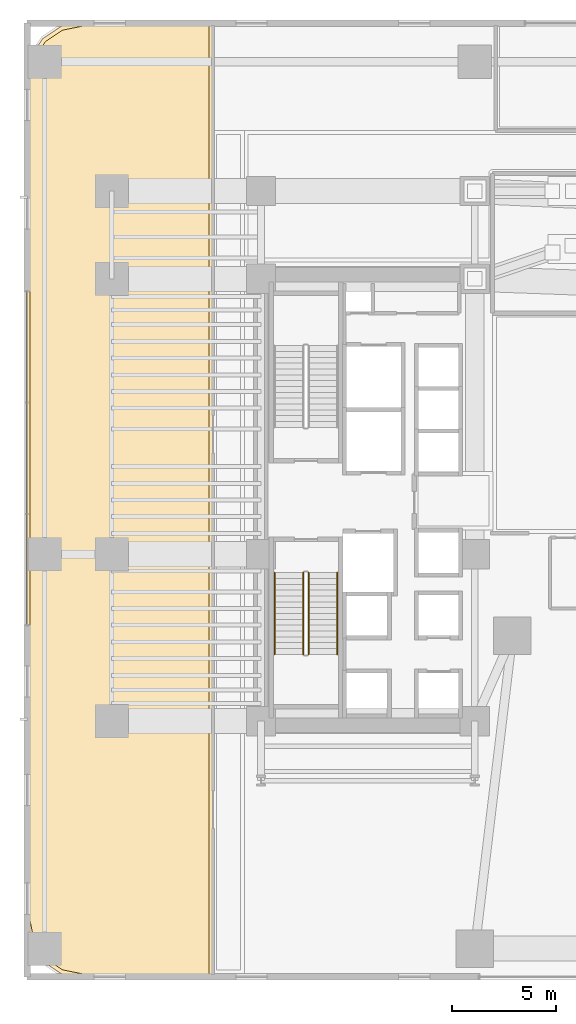
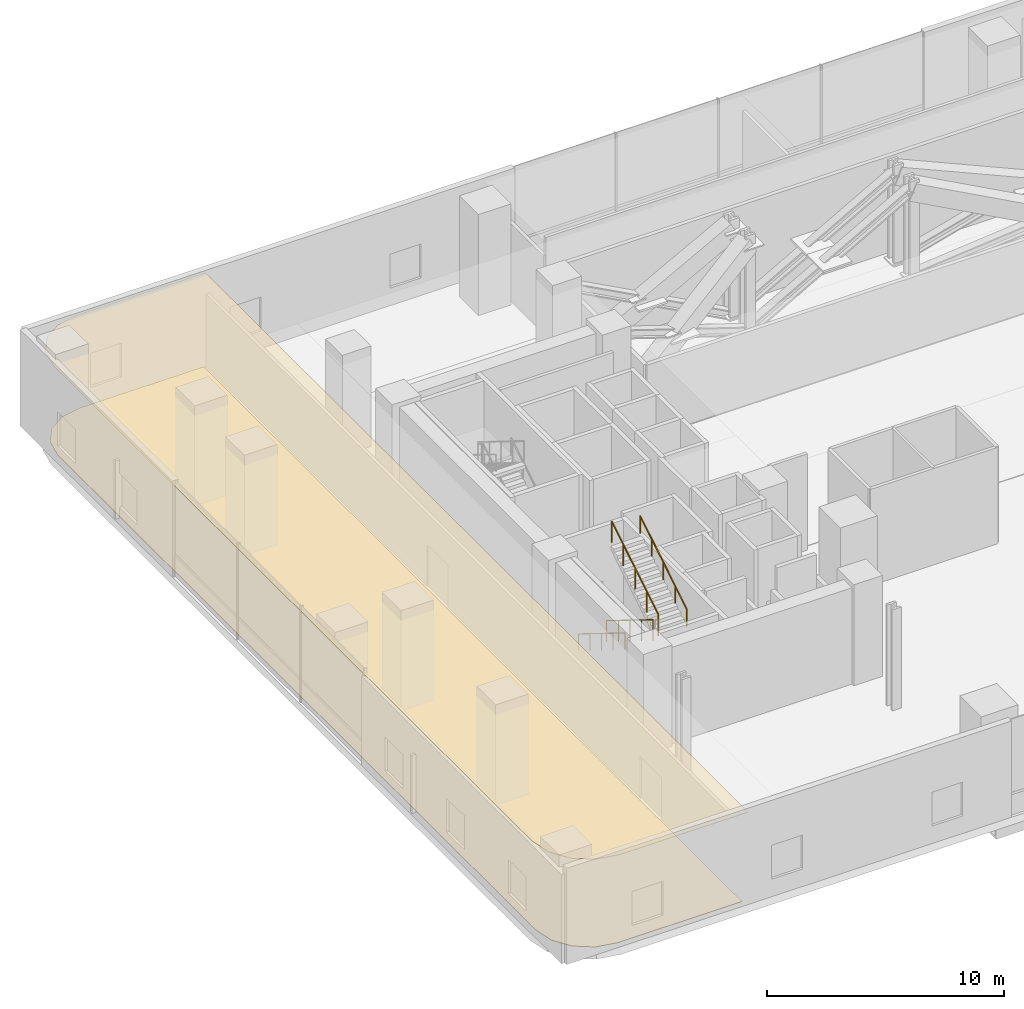
# One storey, part 32 of 41: 4 railings, 2 coverings.
"""IFC4 building model written with IfcOpenShell, lengths in metres."""

from ifc_helpers import new_model, si_unit, direction, frame, origin, origin_2d, place, context, subcontext, project, spatial, polyline, circle, outline, extrude, material, layer, layer_set, type_object, element, save


model = new_model("IFC4")

# Units and contexts
model_context = context("Model", 3, precision=1e-05, world=origin(), true_north=direction((0.0, 1.0)))
body_context = subcontext(model_context, "Body", "Model", "MODEL_VIEW")
ifc_project = project(units=[si_unit("LENGTHUNIT", "METRE"), si_unit("AREAUNIT", "SQUARE_METRE"), si_unit("VOLUMEUNIT", "CUBIC_METRE"), si_unit("PLANEANGLEUNIT", "RADIAN"), si_unit("MASSUNIT", "GRAM", prefix="KILO")], contexts=[model_context])

# Site, building, storey
site_placement = place(None, origin())
site = spatial("IfcSite", under=ifc_project, at=site_placement, CompositionType="ELEMENT")
building_placement = place(site_placement, origin())
building = spatial("IfcBuilding", under=site, at=building_placement, Name="Valdorenza Pilgrim Sanctuary Tower", CompositionType="ELEMENT")
storey_placement = place(building_placement, frame((0.0, 0.0, 20.800048828125)))
storey = spatial("IfcBuildingStorey", under=building, at=storey_placement, Name="L04", CompositionType="ELEMENT", Elevation=20.800048828125)

# Coverings
ifc_material_1 = material(Name="Micro-perforated acoustic mineral ceiling tile", Category="gypsum")
ifc_layer_1 = layer(ifc_material_1, 0.02490234375, Name="Micro-perforated acoustic mineral ceiling tile")
ifc_layer_set_1 = layer_set([ifc_layer_1], Name="Micro-perforated acoustic mineral ceiling tile")
covering_type_1 = type_object("IfcCoveringType", Name="COV-CLG-ACU", PredefinedType="CEILING", material=ifc_layer_set_1)
covering_1_placement = place(storey_placement, frame((0.0, 0.0, 4.659912109375)))
element("IfcCovering", 1, at=covering_1_placement, inside=storey, type_object=covering_type_1, Name="L04 Pilgrim Wellness Fitness Studio Acoustic Ceiling", PredefinedType="CEILING", context=body_context, shape_type="SweptSolid", body=[
    extrude(outline(polyline([(-31.189208984375, -22.905029296875), (-31.190673828125, -22.90478515625), (-31.192138671875, -22.90478515625), (-32.2314453125, -22.697998046875), (-32.23291015625, -22.697509765625), (-32.234375, -22.697021484375), (-32.235595703125, -22.696533203125), (-32.23681640625, -22.69580078125), (-33.10888671875, -22.113037109375), (-33.110107421875, -22.1123046875), (-33.111083984375, -22.111083984375), (-33.1123046875, -22.110107421875), (-33.113037109375, -22.10888671875), (-33.69580078125, -21.23681640625), (-33.696533203125, -21.235595703125), (-33.697021484375, -21.234375), (-33.697509765625, -21.23291015625), (-33.697998046875, -21.2314453125), (-33.90478515625, -20.192138671875), (-33.90478515625, -20.190673828125), (-33.905029296875, -20.189208984375), (-33.905029296875, 20.189208984375), (-33.90478515625, 20.190673828125), (-33.90478515625, 20.192138671875), (-33.697998046875, 21.2314453125), (-33.697509765625, 21.23291015625), (-33.697021484375, 21.234375), (-33.696533203125, 21.235595703125), (-33.69580078125, 21.23681640625), (-33.113037109375, 22.10888671875), (-33.1123046875, 22.110107421875), (-33.111083984375, 22.111083984375), (-33.110107421875, 22.1123046875), (-33.10888671875, 22.113037109375), (-32.23681640625, 22.69580078125), (-32.235595703125, 22.696533203125), (-32.234375, 22.697021484375), (-32.23291015625, 22.697509765625), (-32.2314453125, 22.697998046875), (-31.192138671875, 22.90478515625), (-31.190673828125, 22.90478515625), (-31.189208984375, 22.905029296875), (-24.949951171875, 22.905029296875), (-24.948486328125, 22.90478515625), (-24.947021484375, 22.90478515625), (-24.945556640625, 22.904296875), (-24.9443359375, 22.90380859375), (-24.94287109375, 22.9033203125), (-24.941650390625, 22.902587890625), (-24.9404296875, 22.901611328125), (-24.939453125, 22.900634765625), (-24.9384765625, 22.8994140625), (-24.9375, 22.898193359375), (-24.936767578125, 22.897216796875), (-24.93603515625, 22.895751953125), (-24.935546875, 22.894287109375), (-24.935302734375, 22.892822265625), (-24.93505859375, 22.8916015625), (-24.93505859375, 22.889892578125), (-24.93505859375, -22.889892578125), (-24.93505859375, -22.8916015625), (-24.935302734375, -22.892822265625), (-24.935546875, -22.894287109375), (-24.93603515625, -22.895751953125), (-24.936767578125, -22.897216796875), (-24.9375, -22.898193359375), (-24.9384765625, -22.8994140625), (-24.939453125, -22.900634765625), (-24.9404296875, -22.901611328125), (-24.941650390625, -22.902587890625), (-24.94287109375, -22.9033203125), (-24.9443359375, -22.90380859375), (-24.945556640625, -22.904296875), (-24.947021484375, -22.90478515625), (-24.948486328125, -22.90478515625), (-24.949951171875, -22.905029296875), (-31.189208984375, -22.905029296875)])), origin(), (0.0, 0.0, 1.0), 0.025146484375),
])
ifc_material_2 = material(Name="Honed travertine stone flooring", Category="masonry")
ifc_layer_2 = layer(ifc_material_2, 0.030029296875, Name="Honed travertine stone flooring")
ifc_layer_set_2 = layer_set([ifc_layer_2], Name="Honed travertine stone flooring")
covering_type_2 = type_object("IfcCoveringType", Name="COV-FLR-TRV", PredefinedType="FLOORING", material=ifc_layer_set_2)
covering_2_placement = place(storey_placement, origin())
element("IfcCovering", 2, at=covering_2_placement, inside=storey, type_object=covering_type_2, Name="L04 Pilgrim Wellness Fitness Studio Flooring", PredefinedType="FLOORING", context=body_context, shape_type="SweptSolid", body=[
    extrude(outline(polyline([(-31.17138671875, -22.7099609375), (-32.158203125, -22.513671875), (-32.970703125, -21.970703125), (-33.513671875, -21.158203125), (-33.7099609375, -20.17138671875), (-33.7099609375, 20.17138671875), (-33.513671875, 21.158203125), (-32.970703125, 21.970703125), (-32.158203125, 22.513671875), (-31.17138671875, 22.7099609375), (-25.1298828125, 22.7099609375), (-25.1298828125, -22.7099609375), (-31.17138671875, -22.7099609375)])), origin(), (0.0, 0.0, 1.0), 0.02490234375),
])

# Railings
ifc_material_3 = material(Name="Stainless steel Grade 316", Category="steel")
railing_type_1 = type_object("IfcRailingType", Name="RLG-GRD-1120", PredefinedType="GUARDRAIL", material=ifc_material_3)
railing_1_placement = place(storey_placement, frame((-20.6201171875, -3.47998046875, 0.17333984375)))
element("IfcRailing", 3, at=railing_1_placement, inside=storey, type_object=railing_type_1, Name="L04 ST-A2 stair guard 1", PredefinedType="GUARDRAIL", context=body_context, shape_type="SweptSolid", body=[
    extrude(circle(Radius=0.02392578125, at=origin_2d()), frame((0.0, 0.0, 1.076171875), z_axis=(0.0, -0.850275303828, 0.526338206574), x_axis=(1.0, 0.0, 0.0)), (0.0, 0.0, 1.0), 4.610107421875),
    extrude(circle(Radius=0.02099609375, at=origin_2d()), origin(), (0.0, 0.0, 1.0), 1.052001953125),
    extrude(circle(Radius=0.02099609375, at=origin_2d()), frame((0.0, -0.97998046875, 0.606689453125)), (0.0, 0.0, 1.0), 1.052001953125),
    extrude(circle(Radius=0.02099609375, at=origin_2d()), frame((0.0, -1.9599609375, 1.21337890625)), (0.0, 0.0, 1.0), 1.052001953125),
    extrude(circle(Radius=0.02099609375, at=origin_2d()), frame((0.0, -2.93994140625, 1.81982421875)), (0.0, 0.0, 1.0), 1.052001953125),
    extrude(circle(Radius=0.02099609375, at=origin_2d()), frame((0.0, -3.919921875, 2.426513671875)), (0.0, 0.0, 1.0), 1.052001953125),
])
railing_2_placement = place(storey_placement, frame((-20.3701171875, -7.39990234375, 2.773193359375)))
element("IfcRailing", 4, at=railing_2_placement, inside=storey, type_object=railing_type_1, Name="L04 ST-A2 stair guard 3", PredefinedType="GUARDRAIL", context=body_context, shape_type="SweptSolid", body=[
    extrude(circle(Radius=0.02392578125, at=origin_2d()), frame((0.0, 0.0, 1.076171875), z_axis=(0.0, 0.850251603719, 0.526376491091), x_axis=(-1.0, 0.0, 0.0)), (0.0, 0.0, 1.0), 4.6103515625),
    extrude(circle(Radius=0.02099609375, at=origin_2d()), origin(), (0.0, 0.0, 1.0), 1.052001953125),
    extrude(circle(Radius=0.02099609375, at=origin_2d()), frame((0.0, 0.97998046875, 0.606689453125)), (0.0, 0.0, 1.0), 1.052001953125),
    extrude(circle(Radius=0.02099609375, at=origin_2d()), frame((0.0, 1.9599609375, 1.21337890625)), (0.0, 0.0, 1.0), 1.052001953125),
    extrude(circle(Radius=0.02099609375, at=origin_2d()), frame((0.0, 2.93994140625, 1.820068359375)), (0.0, 0.0, 1.0), 1.052001953125),
    extrude(circle(Radius=0.02099609375, at=origin_2d()), frame((0.0, 3.919921875, 2.4267578125)), (0.0, 0.0, 1.0), 1.052001953125),
])
ifc_material_4 = material(Name="Brushed stainless steel Grade 316", Category="steel")
railing_type_2 = type_object("IfcRailingType", Name="RLG-HND-920", PredefinedType="HANDRAIL", material=ifc_material_4)
railing_3_placement = place(storey_placement, frame((-22.0, -3.47998046875, 0.17333984375)))
element("IfcRailing", 5, at=railing_3_placement, inside=storey, type_object=railing_type_2, Name="L04 ST-A2 stair handrail 1", PredefinedType="HANDRAIL", context=body_context, shape_type="SweptSolid", body=[
    extrude(circle(Radius=0.02392578125, at=origin_2d()), frame((0.0, 0.0, 0.8759765625), z_axis=(0.0, -0.850275303828, 0.526338206574), x_axis=(1.0, 0.0, 0.0)), (0.0, 0.0, 1.0), 4.610107421875),
    extrude(circle(Radius=0.02099609375, at=origin_2d()), origin(), (0.0, 0.0, 1.0), 0.851806640625),
    extrude(circle(Radius=0.02099609375, at=origin_2d()), frame((0.0, -0.97998046875, 0.606689453125)), (0.0, 0.0, 1.0), 0.851806640625),
    extrude(circle(Radius=0.02099609375, at=origin_2d()), frame((0.0, -1.9599609375, 1.21337890625)), (0.0, 0.0, 1.0), 0.851806640625),
    extrude(circle(Radius=0.02099609375, at=origin_2d()), frame((0.0, -2.93994140625, 1.81982421875)), (0.0, 0.0, 1.0), 0.851806640625),
    extrude(circle(Radius=0.02099609375, at=origin_2d()), frame((0.0, -3.919921875, 2.426513671875)), (0.0, 0.0, 1.0), 0.851806640625),
])
railing_4_placement = place(storey_placement, frame((-18.989990234375, -7.39990234375, 2.773193359375)))
element("IfcRailing", 6, at=railing_4_placement, inside=storey, type_object=railing_type_2, Name="L04 ST-A2 stair handrail 2", PredefinedType="HANDRAIL", context=body_context, shape_type="SweptSolid", body=[
    extrude(circle(Radius=0.02392578125, at=origin_2d()), frame((0.0, 0.0, 0.8759765625), z_axis=(0.0, 0.850251603719, 0.526376491091), x_axis=(-1.0, 0.0, 0.0)), (0.0, 0.0, 1.0), 4.6103515625),
    extrude(circle(Radius=0.02099609375, at=origin_2d()), origin(), (0.0, 0.0, 1.0), 0.851806640625),
    extrude(circle(Radius=0.02099609375, at=origin_2d()), frame((0.0, 0.97998046875, 0.606689453125)), (0.0, 0.0, 1.0), 0.851806640625),
    extrude(circle(Radius=0.02099609375, at=origin_2d()), frame((0.0, 1.9599609375, 1.21337890625)), (0.0, 0.0, 1.0), 0.851806640625),
    extrude(circle(Radius=0.02099609375, at=origin_2d()), frame((0.0, 2.93994140625, 1.820068359375)), (0.0, 0.0, 1.0), 0.851806640625),
    extrude(circle(Radius=0.02099609375, at=origin_2d()), frame((0.0, 3.919921875, 2.4267578125)), (0.0, 0.0, 1.0), 0.851806640625),
])

save(model, "model.ifc")
